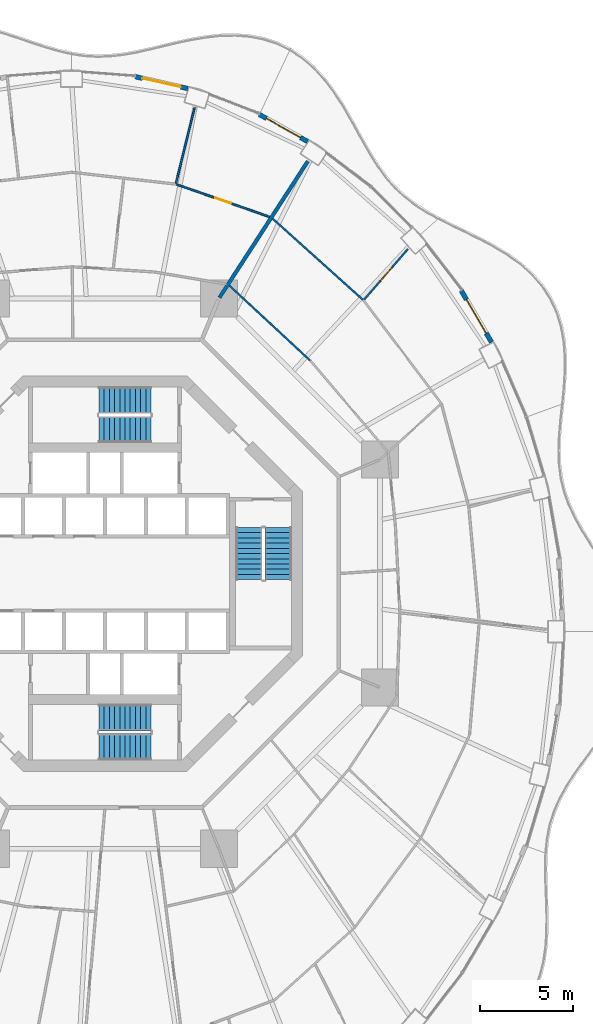
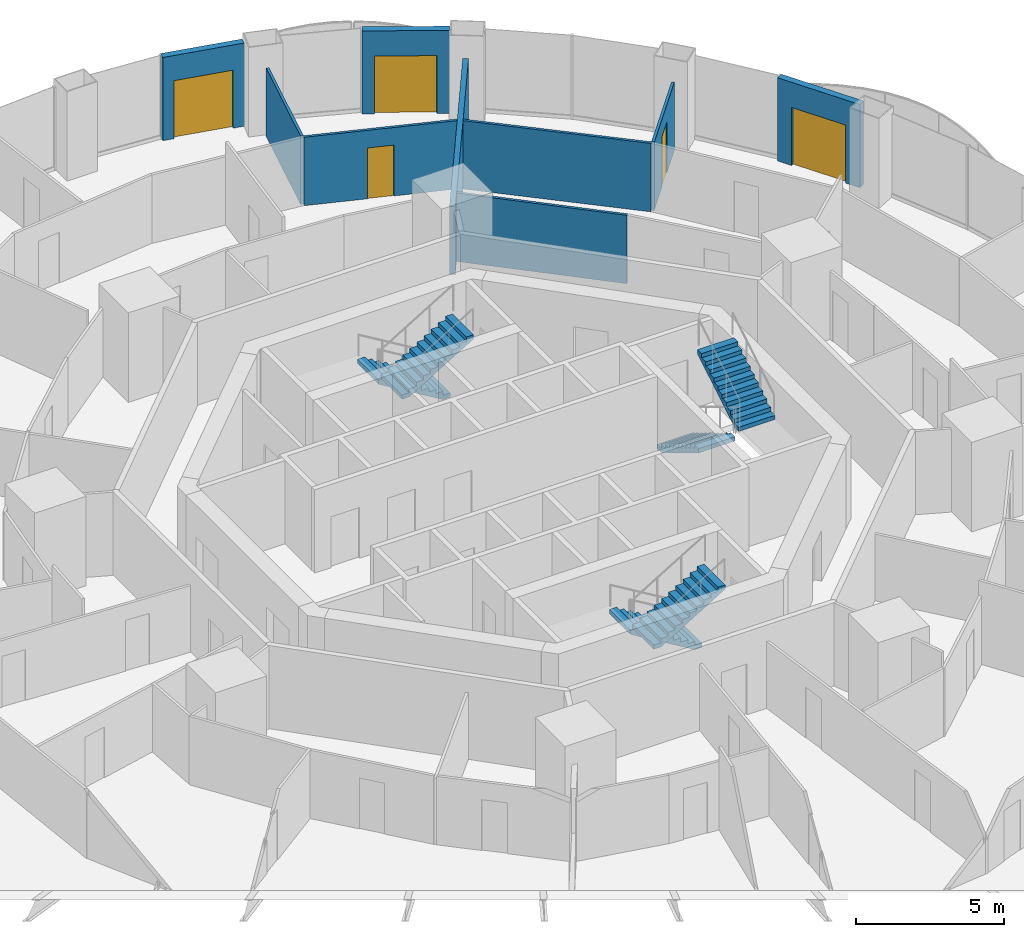
# One storey, part 16 of 19: 9 walls, 6 stair flights, 5 doors, 5 openings, 3 elements without a shape of their own.
"""IFC4 building model written with IfcOpenShell, lengths in metres."""

from ifc_helpers import new_model, si_unit, direction, frame, frame_2d, origin, place, context, subcontext, project, spatial, polyline, rectangle, outline, extrude, material, layer, layer_set, type_object, element, fill, aggregate, save


model = new_model("IFC4")

# Units and contexts
model_context = context("Model", 3, precision=1e-05, world=origin(), true_north=direction((0.0, 1.0)))
body_context = subcontext(model_context, "Body", "Model", "MODEL_VIEW")
ifc_project = project(units=[si_unit("LENGTHUNIT", "METRE"), si_unit("AREAUNIT", "SQUARE_METRE"), si_unit("VOLUMEUNIT", "CUBIC_METRE"), si_unit("PLANEANGLEUNIT", "RADIAN"), si_unit("MASSUNIT", "GRAM", prefix="KILO")], contexts=[model_context])

# Site, building, storey
site_placement = place(None, origin())
site = spatial("IfcSite", under=ifc_project, at=site_placement, CompositionType="ELEMENT")
building_placement = place(site_placement, origin())
building = spatial("IfcBuilding", under=site, at=building_placement, Name="Nagisa Residences", CompositionType="ELEMENT")
storey_placement = place(building_placement, frame((0.0, 0.0, 149.199951171875)))
storey = spatial("IfcBuildingStorey", under=building, at=storey_placement, Name="L37", CompositionType="ELEMENT", Elevation=149.199951171875)

# Walls
ifc_material_1 = material(Name="Gypsum board on steel studs", Category="steel")
ifc_layer_1 = layer(ifc_material_1, 0.199951171875)
ifc_layer_set_1 = layer_set([ifc_layer_1], Name="Apartment compartment wall EI60 200")
wall_type_1 = type_object("IfcWallType", Name="Apartment compartment wall EI60 200", PredefinedType="PARTITIONING", material=ifc_layer_set_1)
wall_1_placement = place(storey_placement, frame((6.150146484375, 14.823974609375, 0.0), z_axis=(0.0, 0.0, 1.0), x_axis=(0.543695254109, 0.839282711998, 0.0)))
element("IfcWall", 1, at=wall_1_placement, inside=storey, type_object=wall_type_1, Name="wall:L37:u01", PredefinedType="PARTITIONING", context=body_context, shape_type="SweptSolid", body=[
    extrude(rectangle(XDim=8.731201171875, YDim=0.199951171875, at=frame_2d((4.36572265625, 0.0))), origin(), (0.0, 0.0, 1.0), 2.828125),
])
ifc_material_2 = material(Name="Gypsum board on steel studs", Category="steel")
ifc_layer_2 = layer(ifc_material_2, 0.10009765625)
ifc_layer_set_2 = layer_set([ifc_layer_2], Name="Apartment partition 100")
wall_type_2 = type_object("IfcWallType", Name="Apartment partition 100", PredefinedType="PARTITIONING", material=ifc_layer_set_2)
wall_2_placement = place(storey_placement, frame((11.029052734375, 11.44287109375, 0.0), z_axis=(0.0, 0.0, 1.0), x_axis=(-0.733113447346, 0.680106369122, 0.0)))
element("IfcWall", 2, at=wall_2_placement, inside=storey, type_object=wall_type_2, Name="wall:L37:u25", PredefinedType="PARTITIONING", context=body_context, shape_type="SweptSolid", body=[
    extrude(rectangle(XDim=5.923095703125, YDim=0.10009765625, at=frame_2d((2.96142578125, 0.0))), origin(), (0.0, 0.0, 1.0), 2.828125),
])

# Wall, opening, door
wall_3_placement = place(storey_placement, frame((13.926025390625, 14.71875, 0.0), z_axis=(0.0, 0.0, 1.0), x_axis=(0.653831857253, 0.756639876323, 0.0)))
wall_3 = element("IfcWall", 3, at=wall_3_placement, inside=storey, type_object=wall_type_2, Name="wall:L37:u26", PredefinedType="PARTITIONING", context=body_context, shape_type="SweptSolid", body=[
    extrude(rectangle(XDim=3.59765625, YDim=0.10009765625, at=frame_2d((1.798828125, 0.0))), origin(), (0.0, 0.0, 1.0), 2.828125),
])
opening_1_placement = place(wall_3_placement, frame((1.348876953125, 0.0, 0.0)))
opening_1 = element("IfcOpeningElement", 4, at=opening_1_placement, cuts=wall_3, Name="Opening L37-U19", PredefinedType="OPENING", context=body_context, shape_type="SweptSolid", body=[
    extrude(rectangle(XDim=0.89990234375, YDim=2.10009765625, at=frame_2d((0.449951171875, 1.050048828125))), frame((0.0, 0.06005859375, 0.0), z_axis=(0.0, -1.0, 0.0), x_axis=(1.0, 0.0, 0.0)), (0.0, 0.0, 1.0), 0.1201171875),
])
ifc_material_3 = material(Name="Timber door set", Category="wood")
door_type_1 = type_object("IfcDoorType", Name="Apartment door 900x2100", OperationType="NOTDEFINED", PredefinedType="DOOR", material=ifc_material_3)
door_1_placement = place(opening_1_placement, origin())
door_1 = element("IfcDoor", 5, at=door_1_placement, inside=storey, type_object=door_type_1, Name="Door to bedroom, Apartment 37A", OperationType="SINGLE_SWING_LEFT", OverallHeight=2.10009765625, OverallWidth=0.89990234375, PredefinedType="DOOR", context=body_context, shape_type="SweptSolid", body=[
    extrude(rectangle(XDim=0.89990234375, YDim=2.10009765625, at=frame_2d((0.449951171875, 1.050048828125))), frame((0.0, 0.02490234375, 0.0), z_axis=(0.0, -1.0, 0.0), x_axis=(1.0, 0.0, 0.0)), (0.0, 0.0, 1.0), 0.050048828125),
])
fill(opening_1, door_1)

# Wall
wall_4_placement = place(storey_placement, frame((13.856201171875, 14.71435546875, 0.0), z_axis=(0.0, 0.0, 1.0), x_axis=(-0.743799395746, 0.668402916577, 0.0)))
element("IfcWall", 6, at=wall_4_placement, inside=storey, type_object=wall_type_2, Name="wall:L37:u27", PredefinedType="PARTITIONING", context=body_context, shape_type="SweptSolid", body=[
    extrude(rectangle(XDim=6.508544921875, YDim=0.10009765625, at=frame_2d((3.25439453125, 0.0))), origin(), (0.0, 0.0, 1.0), 2.828125),
])

# Wall, opening, door
wall_5_placement = place(storey_placement, frame((8.84619140625, 19.16455078125, 0.0), z_axis=(0.0, 0.0, 1.0), x_axis=(-0.944186503813, 0.329411362915, 0.0)))
wall_5 = element("IfcWall", 7, at=wall_5_placement, inside=storey, type_object=wall_type_2, Name="wall:L37:u29", PredefinedType="PARTITIONING", context=body_context, shape_type="SweptSolid", body=[
    extrude(rectangle(XDim=5.293212890625, YDim=0.10009765625, at=frame_2d((2.646484375, 0.0))), origin(), (0.0, 0.0, 1.0), 2.828125),
])
opening_2_placement = place(wall_5_placement, frame((2.196533203125, 0.0, 0.0)))
opening_2 = element("IfcOpeningElement", 8, at=opening_2_placement, cuts=wall_5, Name="Opening L37-U48", PredefinedType="OPENING", context=body_context, shape_type="SweptSolid", body=[
    extrude(rectangle(XDim=0.89990234375, YDim=2.10009765625, at=frame_2d((0.449951171875, 1.050048828125))), frame((0.0, 0.06005859375, 0.0), z_axis=(0.0, -1.0, 0.0), x_axis=(1.0, 0.0, 0.0)), (0.0, 0.0, 1.0), 0.1201171875),
])
door_2_placement = place(opening_2_placement, frame((0.89990234375, 0.0, 0.0), x_axis=(-1.0, 0.0, 0.0)))
door_2 = element("IfcDoor", 9, at=door_2_placement, inside=storey, type_object=door_type_1, Name="Door to tatami room, Apartment 37B", OperationType="SINGLE_SWING_LEFT", OverallHeight=2.10009765625, OverallWidth=0.89990234375, PredefinedType="DOOR", context=body_context, shape_type="SweptSolid", body=[
    extrude(rectangle(XDim=0.89990234375, YDim=2.10009765625, at=frame_2d((0.449951171875, 1.050048828125))), frame((0.0, 0.02490234375, 0.0), z_axis=(0.0, -1.0, 0.0), x_axis=(1.0, 0.0, 0.0)), (0.0, 0.0, 1.0), 0.050048828125),
])
fill(opening_2, door_2)

# Wall
wall_6_placement = place(storey_placement, frame((3.813232421875, 20.97314453125, 0.0), z_axis=(0.0, 0.0, 1.0), x_axis=(0.239977551632, 0.970778437499, 0.0)))
element("IfcWall", 10, at=wall_6_placement, inside=storey, type_object=wall_type_2, Name="wall:L37:u31", PredefinedType="PARTITIONING", context=body_context, shape_type="SweptSolid", body=[
    extrude(rectangle(XDim=4.17822265625, YDim=0.10009765625, at=frame_2d((2.089111328125, 0.0))), origin(), (0.0, 0.0, 1.0), 2.828125),
])

# Wall, opening, door
ifc_material_4 = material(Name="Precast concrete C40/50", Category="concrete")
ifc_layer_3 = layer(ifc_material_4, 0.25)
ifc_layer_set_3 = layer_set([ifc_layer_3], Name="BALCONY DOOR WALL 250")
wall_type_3 = type_object("IfcWallType", Name="BALCONY DOOR WALL 250", PredefinedType="SOLIDWALL", material=ifc_layer_set_3)
wall_7_placement = place(storey_placement, frame((19.143798828125, 15.20068359375, 0.0), z_axis=(0.0, 0.0, 1.0), x_axis=(0.506314982873, -0.862348617508, 0.0)))
wall_7 = element("IfcWall", 11, at=wall_7_placement, inside=storey, type_object=wall_type_3, Name="wall:L37:bay04", PredefinedType="SOLIDWALL", context=body_context, shape_type="SweptSolid", body=[
    extrude(rectangle(XDim=3.20849609375, YDim=0.25, at=frame_2d((1.604248046875, 0.0))), origin(), (0.0, 0.0, 1.0), 3.43994140625),
])
opening_3_placement = place(wall_7_placement, frame((0.55419921875, 0.0, 0.0)))
opening_3 = element("IfcOpeningElement", 12, at=opening_3_placement, cuts=wall_7, Name="Opening BD-L37-02", PredefinedType="OPENING", context=body_context, shape_type="SweptSolid", body=[
    extrude(rectangle(XDim=2.10009765625, YDim=2.39990234375, at=frame_2d((1.050048828125, 1.199951171875))), frame((0.0, 0.135009765625, 0.0), z_axis=(0.0, -1.0, 0.0), x_axis=(1.0, 0.0, 0.0)), (0.0, 0.0, 1.0), 0.27001953125),
])
ifc_material_5 = material(Name="Aluminium and clear glass", Category="aluminium")
door_type_2 = type_object("IfcDoorType", Name="BALCONY SLIDING DOOR 2100x2400", OperationType="SLIDING_TO_LEFT", PredefinedType="DOOR", material=ifc_material_5)
door_3_placement = place(opening_3_placement, origin())
door_3 = element("IfcDoor", 13, at=door_3_placement, inside=storey, type_object=door_type_2, Name="door:L37:bay04", OperationType="SLIDING_TO_LEFT", OverallHeight=2.39990234375, OverallWidth=2.10009765625, PredefinedType="DOOR", context=body_context, shape_type="SweptSolid", body=[
    extrude(rectangle(XDim=2.10009765625, YDim=2.39990234375, at=frame_2d((1.050048828125, 1.199951171875))), frame((0.0, 0.02490234375, 0.0), z_axis=(0.0, -1.0, 0.0), x_axis=(1.0, 0.0, 0.0)), (0.0, 0.0, 1.0), 0.050048828125),
])
fill(opening_3, door_3)

wall_8_placement = place(storey_placement, frame((8.293212890625, 24.669921875, 0.0), z_axis=(0.0, 0.0, 1.0), x_axis=(0.87206688547, -0.489386705241, 0.0)))
wall_8 = element("IfcWall", 14, at=wall_8_placement, inside=storey, type_object=wall_type_3, Name="wall:L37:bay08", PredefinedType="SOLIDWALL", context=body_context, shape_type="SweptSolid", body=[
    extrude(rectangle(XDim=2.9697265625, YDim=0.25, at=frame_2d((1.48486328125, 0.0))), origin(), (0.0, 0.0, 1.0), 3.43994140625),
])
opening_4_placement = place(wall_8_placement, frame((0.434814453125, 0.0, 0.0)))
opening_4 = element("IfcOpeningElement", 15, at=opening_4_placement, cuts=wall_8, Name="Opening BD-L37-03", PredefinedType="OPENING", context=body_context, shape_type="SweptSolid", body=[
    extrude(rectangle(XDim=2.10009765625, YDim=2.39990234375, at=frame_2d((1.050048828125, 1.199951171875))), frame((0.0, 0.135009765625, 0.0), z_axis=(0.0, -1.0, 0.0), x_axis=(1.0, 0.0, 0.0)), (0.0, 0.0, 1.0), 0.27001953125),
])
door_4_placement = place(opening_4_placement, origin())
door_4 = element("IfcDoor", 16, at=door_4_placement, inside=storey, type_object=door_type_2, Name="door:L37:bay08", OperationType="SLIDING_TO_LEFT", OverallHeight=2.39990234375, OverallWidth=2.10009765625, PredefinedType="DOOR", context=body_context, shape_type="SweptSolid", body=[
    extrude(rectangle(XDim=2.10009765625, YDim=2.39990234375, at=frame_2d((1.050048828125, 1.199951171875))), frame((0.0, 0.02490234375, 0.0), z_axis=(0.0, -1.0, 0.0), x_axis=(1.0, 0.0, 0.0)), (0.0, 0.0, 1.0), 0.050048828125),
])
fill(opening_4, door_4)

wall_9_placement = place(storey_placement, frame((1.635986328125, 26.697021484375, 0.0), z_axis=(0.0, 0.0, 1.0), x_axis=(0.975339035722, -0.220711951186, 0.0)))
wall_9 = element("IfcWall", 17, at=wall_9_placement, inside=storey, type_object=wall_type_3, Name="wall:L37:bay10", PredefinedType="SOLIDWALL", context=body_context, shape_type="SweptSolid", body=[
    extrude(rectangle(XDim=2.890380859375, YDim=0.25, at=frame_2d((1.4453125, 0.0))), origin(), (0.0, 0.0, 1.0), 3.43994140625),
])
opening_5_placement = place(wall_9_placement, frame((0.395263671875, 0.0, 0.0)))
opening_5 = element("IfcOpeningElement", 18, at=opening_5_placement, cuts=wall_9, Name="Opening BD-L37-04", PredefinedType="OPENING", context=body_context, shape_type="SweptSolid", body=[
    extrude(rectangle(XDim=2.10009765625, YDim=2.39990234375, at=frame_2d((1.050048828125, 1.199951171875))), frame((0.0, 0.135009765625, 0.0), z_axis=(0.0, -1.0, 0.0), x_axis=(1.0, 0.0, 0.0)), (0.0, 0.0, 1.0), 0.27001953125),
])
door_5_placement = place(opening_5_placement, origin())
door_5 = element("IfcDoor", 19, at=door_5_placement, inside=storey, type_object=door_type_2, Name="door:L37:bay10", OperationType="SLIDING_TO_LEFT", OverallHeight=2.39990234375, OverallWidth=2.10009765625, PredefinedType="DOOR", context=body_context, shape_type="SweptSolid", body=[
    extrude(rectangle(XDim=2.10009765625, YDim=2.39990234375, at=frame_2d((1.050048828125, 1.199951171875))), frame((0.0, 0.02490234375, 0.0), z_axis=(0.0, -1.0, 0.0), x_axis=(1.0, 0.0, 0.0)), (0.0, 0.0, 1.0), 0.050048828125),
])
fill(opening_5, door_5)

# Stair, stair flights
ifc_material_6 = material(Name="Concrete C60", Category="concrete")
stair_type = type_object("IfcStairType", Name="Exit stair", PredefinedType="HALF_TURN_STAIR", material=ifc_material_6)
stair_1_placement = place(storey_placement, origin())
stair_1 = element("IfcStair", 20, at=stair_1_placement, inside=storey, type_object=stair_type, Name="L37 Exit stair E", PredefinedType="HALF_TURN_STAIR")
ifc_material_7 = material(Name="Concrete C60", Category="concrete")
stair_flight_type = type_object("IfcStairFlightType", Name="Exit stair flight", PredefinedType="STRAIGHT", material=ifc_material_7)
stair_flight_1_placement = place(storey_placement, frame((7.737060546875, 2.47509765625, 0.0), z_axis=(0.0, 0.0, 1.0), x_axis=(0.0, -1.0, 0.0)))
stair_flight_1 = element("IfcStairFlight", 21, at=stair_flight_1_placement, type_object=stair_flight_type, Name="ST-E flight 1", NumberOfRisers=11, NumberOfTreads=10, PredefinedType="STRAIGHT", RiserHeight=0.168181818, TreadLength=0.28, context=body_context, shape_type="SweptSolid", body=[
    extrude(outline(polyline([(0.0, 0.0), (0.0, 0.168212890625), (0.280029296875, 0.168212890625), (0.280029296875, 0.33642578125), (0.56005859375, 0.33642578125), (0.56005859375, 0.504638671875), (0.840087890625, 0.504638671875), (0.840087890625, 0.672607421875), (1.1201171875, 0.672607421875), (1.1201171875, 0.8408203125), (1.39990234375, 0.8408203125), (1.39990234375, 1.009033203125), (1.679931640625, 1.009033203125), (1.679931640625, 1.17724609375), (1.9599609375, 1.17724609375), (1.9599609375, 1.345458984375), (2.239990234375, 1.345458984375), (2.239990234375, 1.513671875), (2.52001953125, 1.513671875), (2.52001953125, 1.681884765625), (2.800048828125, 1.681884765625), (2.800048828125, 1.85009765625), (2.800048828125, 1.5068359375), (0.291015625, 0.0), (0.0, 0.0)])), frame((0.0, 0.71240234375, 0.0), z_axis=(0.0, -1.0, 0.0), x_axis=(1.0, 0.0, 0.0)), (0.0, 0.0, 1.0), 1.425048828125),
])
stair_flight_2_placement = place(storey_placement, frame((9.31201171875, -0.324951171875, 1.85009765625), z_axis=(0.0, 0.0, 1.0), x_axis=(0.0, 1.0, 0.0)))
stair_flight_2 = element("IfcStairFlight", 22, at=stair_flight_2_placement, type_object=stair_flight_type, Name="ST-E flight 2", NumberOfRisers=11, NumberOfTreads=10, PredefinedType="STRAIGHT", RiserHeight=0.168181818, TreadLength=0.28, context=body_context, shape_type="SweptSolid", body=[
    extrude(outline(polyline([(0.0, 0.0), (0.0, 0.168212890625), (0.280029296875, 0.168212890625), (0.280029296875, 0.33642578125), (0.56005859375, 0.33642578125), (0.56005859375, 0.504638671875), (0.840087890625, 0.504638671875), (0.840087890625, 0.672607421875), (1.1201171875, 0.672607421875), (1.1201171875, 0.8408203125), (1.39990234375, 0.8408203125), (1.39990234375, 1.009033203125), (1.679931640625, 1.009033203125), (1.679931640625, 1.17724609375), (1.9599609375, 1.17724609375), (1.9599609375, 1.345458984375), (2.239990234375, 1.345458984375), (2.239990234375, 1.513671875), (2.52001953125, 1.513671875), (2.52001953125, 1.681884765625), (2.800048828125, 1.681884765625), (2.800048828125, 1.85009765625), (2.800048828125, 1.5068359375), (0.291015625, 0.0), (0.0, 0.0)])), frame((0.0, 0.71240234375, 0.0), z_axis=(0.0, -1.0, 0.0), x_axis=(1.0, 0.0, 0.0)), (0.0, 0.0, 1.0), 1.425048828125),
])
aggregate(stair_1, [stair_flight_1, stair_flight_2])

stair_2_placement = place(storey_placement, origin())
stair_2 = element("IfcStair", 23, at=stair_2_placement, inside=storey, type_object=stair_type, Name="L37 Exit stair N", PredefinedType="HALF_TURN_STAIR")
stair_flight_3_placement = place(storey_placement, frame((2.47509765625, 9.31201171875, 0.0), z_axis=(0.0, 0.0, 1.0), x_axis=(-1.0, 0.0, 0.0)))
stair_flight_3 = element("IfcStairFlight", 24, at=stair_flight_3_placement, type_object=stair_flight_type, Name="ST-N flight 1", NumberOfRisers=11, NumberOfTreads=10, PredefinedType="STRAIGHT", RiserHeight=0.168181818, TreadLength=0.28, context=body_context, shape_type="SweptSolid", body=[
    extrude(outline(polyline([(0.0, 0.0), (0.0, 0.168212890625), (0.280029296875, 0.168212890625), (0.280029296875, 0.33642578125), (0.56005859375, 0.33642578125), (0.56005859375, 0.504638671875), (0.840087890625, 0.504638671875), (0.840087890625, 0.672607421875), (1.1201171875, 0.672607421875), (1.1201171875, 0.8408203125), (1.39990234375, 0.8408203125), (1.39990234375, 1.009033203125), (1.679931640625, 1.009033203125), (1.679931640625, 1.17724609375), (1.9599609375, 1.17724609375), (1.9599609375, 1.345458984375), (2.239990234375, 1.345458984375), (2.239990234375, 1.513671875), (2.52001953125, 1.513671875), (2.52001953125, 1.681884765625), (2.800048828125, 1.681884765625), (2.800048828125, 1.85009765625), (2.800048828125, 1.5068359375), (0.291015625, 0.0), (0.0, 0.0)])), frame((0.0, 0.71240234375, 0.0), z_axis=(0.0, -1.0, 0.0), x_axis=(1.0, 0.0, 0.0)), (0.0, 0.0, 1.0), 1.425048828125),
])
stair_flight_4_placement = place(storey_placement, frame((-0.324951171875, 7.737060546875, 1.85009765625), z_axis=(0.0, 0.0, 1.0), x_axis=(1.0, 0.0, 0.0)))
stair_flight_4 = element("IfcStairFlight", 25, at=stair_flight_4_placement, type_object=stair_flight_type, Name="ST-N flight 2", NumberOfRisers=11, NumberOfTreads=10, PredefinedType="STRAIGHT", RiserHeight=0.168181818, TreadLength=0.28, context=body_context, shape_type="SweptSolid", body=[
    extrude(outline(polyline([(0.0, 0.0), (0.0, 0.168212890625), (0.280029296875, 0.168212890625), (0.280029296875, 0.33642578125), (0.56005859375, 0.33642578125), (0.56005859375, 0.504638671875), (0.840087890625, 0.504638671875), (0.840087890625, 0.672607421875), (1.1201171875, 0.672607421875), (1.1201171875, 0.8408203125), (1.39990234375, 0.8408203125), (1.39990234375, 1.009033203125), (1.679931640625, 1.009033203125), (1.679931640625, 1.17724609375), (1.9599609375, 1.17724609375), (1.9599609375, 1.345458984375), (2.239990234375, 1.345458984375), (2.239990234375, 1.513671875), (2.52001953125, 1.513671875), (2.52001953125, 1.681884765625), (2.800048828125, 1.681884765625), (2.800048828125, 1.85009765625), (2.800048828125, 1.5068359375), (0.291015625, 0.0), (0.0, 0.0)])), frame((0.0, 0.71240234375, 0.0), z_axis=(0.0, -1.0, 0.0), x_axis=(1.0, 0.0, 0.0)), (0.0, 0.0, 1.0), 1.425048828125),
])
aggregate(stair_2, [stair_flight_3, stair_flight_4])

stair_3_placement = place(storey_placement, origin())
stair_3 = element("IfcStair", 26, at=stair_3_placement, inside=storey, type_object=stair_type, Name="L37 Exit stair S", PredefinedType="HALF_TURN_STAIR")
stair_flight_5_placement = place(storey_placement, frame((2.47509765625, -7.737060546875, 0.0), z_axis=(0.0, 0.0, 1.0), x_axis=(-1.0, 0.0, 0.0)))
stair_flight_5 = element("IfcStairFlight", 27, at=stair_flight_5_placement, type_object=stair_flight_type, Name="ST-S flight 1", NumberOfRisers=11, NumberOfTreads=10, PredefinedType="STRAIGHT", RiserHeight=0.168181818, TreadLength=0.28, context=body_context, shape_type="SweptSolid", body=[
    extrude(outline(polyline([(0.0, 0.0), (0.0, 0.168212890625), (0.280029296875, 0.168212890625), (0.280029296875, 0.33642578125), (0.56005859375, 0.33642578125), (0.56005859375, 0.504638671875), (0.840087890625, 0.504638671875), (0.840087890625, 0.672607421875), (1.1201171875, 0.672607421875), (1.1201171875, 0.8408203125), (1.39990234375, 0.8408203125), (1.39990234375, 1.009033203125), (1.679931640625, 1.009033203125), (1.679931640625, 1.17724609375), (1.9599609375, 1.17724609375), (1.9599609375, 1.345458984375), (2.239990234375, 1.345458984375), (2.239990234375, 1.513671875), (2.52001953125, 1.513671875), (2.52001953125, 1.681884765625), (2.800048828125, 1.681884765625), (2.800048828125, 1.85009765625), (2.800048828125, 1.5068359375), (0.291015625, 0.0), (0.0, 0.0)])), frame((0.0, 0.71240234375, 0.0), z_axis=(0.0, -1.0, 0.0), x_axis=(1.0, 0.0, 0.0)), (0.0, 0.0, 1.0), 1.425048828125),
])
stair_flight_6_placement = place(storey_placement, frame((-0.324951171875, -9.31201171875, 1.85009765625), z_axis=(0.0, 0.0, 1.0), x_axis=(1.0, 0.0, 0.0)))
stair_flight_6 = element("IfcStairFlight", 28, at=stair_flight_6_placement, type_object=stair_flight_type, Name="ST-S flight 2", NumberOfRisers=11, NumberOfTreads=10, PredefinedType="STRAIGHT", RiserHeight=0.168181818, TreadLength=0.28, context=body_context, shape_type="SweptSolid", body=[
    extrude(outline(polyline([(0.0, 0.0), (0.0, 0.168212890625), (0.280029296875, 0.168212890625), (0.280029296875, 0.33642578125), (0.56005859375, 0.33642578125), (0.56005859375, 0.504638671875), (0.840087890625, 0.504638671875), (0.840087890625, 0.672607421875), (1.1201171875, 0.672607421875), (1.1201171875, 0.8408203125), (1.39990234375, 0.8408203125), (1.39990234375, 1.009033203125), (1.679931640625, 1.009033203125), (1.679931640625, 1.17724609375), (1.9599609375, 1.17724609375), (1.9599609375, 1.345458984375), (2.239990234375, 1.345458984375), (2.239990234375, 1.513671875), (2.52001953125, 1.513671875), (2.52001953125, 1.681884765625), (2.800048828125, 1.681884765625), (2.800048828125, 1.85009765625), (2.800048828125, 1.5068359375), (0.291015625, 0.0), (0.0, 0.0)])), frame((0.0, 0.71240234375, 0.0), z_axis=(0.0, -1.0, 0.0), x_axis=(1.0, 0.0, 0.0)), (0.0, 0.0, 1.0), 1.425048828125),
])
aggregate(stair_3, [stair_flight_5, stair_flight_6])

save(model, "model.ifc")
